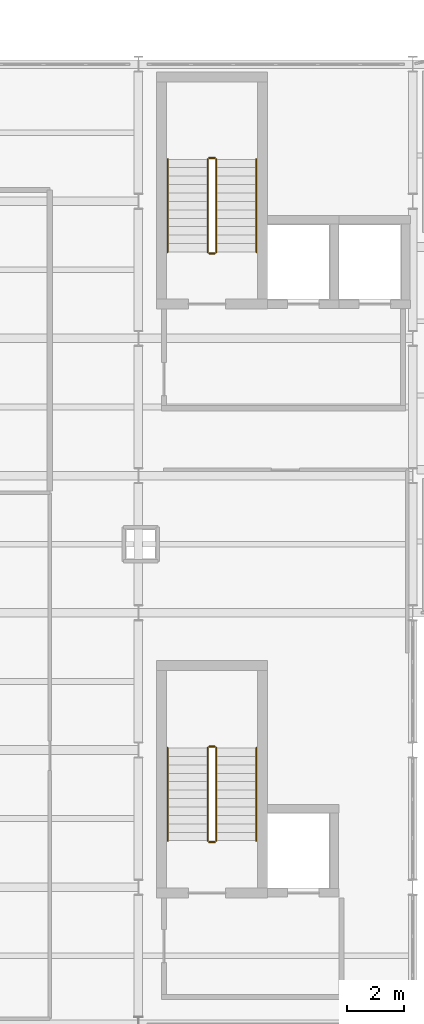
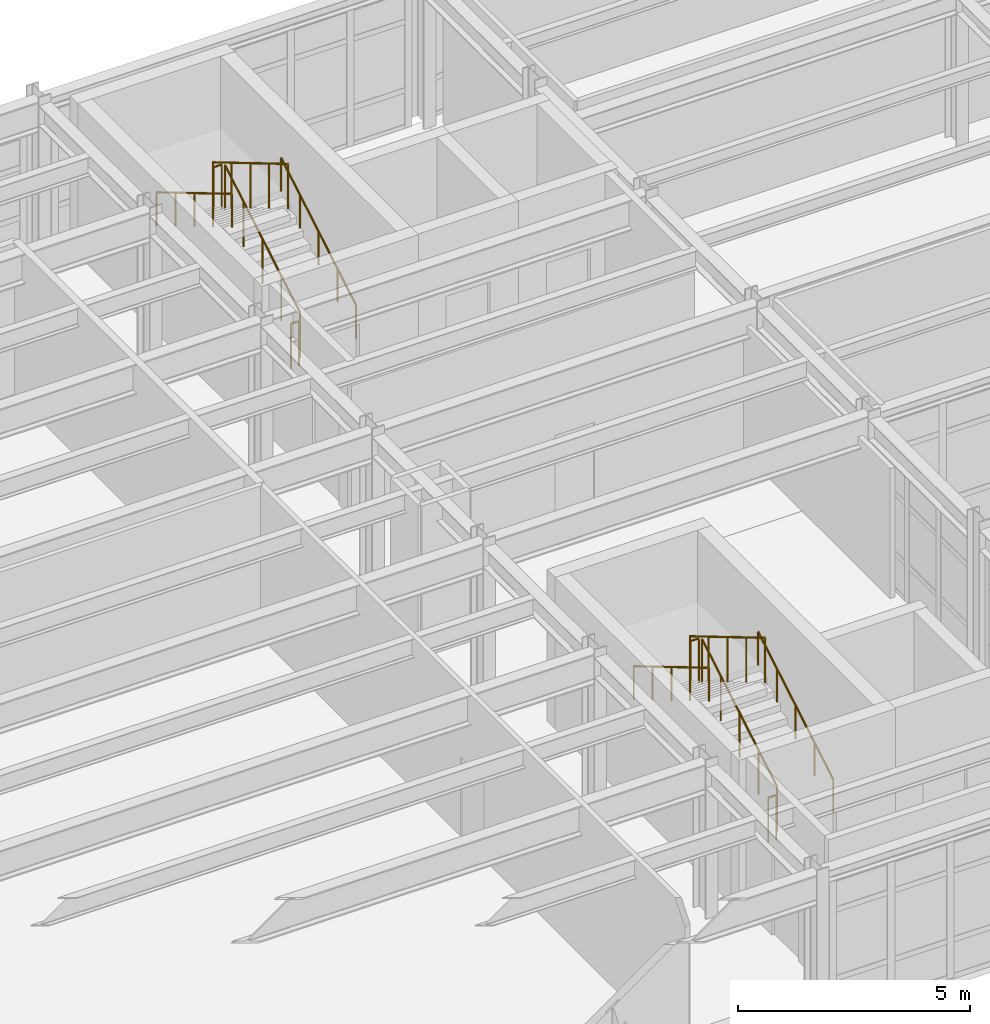
# One storey, part 62 of 64: 12 railings.
"""IFC4 building model written with IfcOpenShell, lengths in metres."""

from ifc_helpers import new_model, si_unit, direction, frame, origin, origin_2d, place, context, subcontext, project, spatial, circle, extrude, material, layer, layer_set, type_object, element, save


model = new_model("IFC4")

# Units and contexts
model_context = context("Model", 3, precision=1e-05, world=origin(), true_north=direction((0.0, 1.0)))
body_context = subcontext(model_context, "Body", "Model", "MODEL_VIEW")
ifc_project = project(units=[si_unit("LENGTHUNIT", "METRE"), si_unit("AREAUNIT", "SQUARE_METRE"), si_unit("VOLUMEUNIT", "CUBIC_METRE"), si_unit("PLANEANGLEUNIT", "RADIAN"), si_unit("MASSUNIT", "GRAM", prefix="KILO")], contexts=[model_context])

# Site, building, storey
site_placement = place(None, origin())
site = spatial("IfcSite", under=ifc_project, at=site_placement, CompositionType="ELEMENT")
building_placement = place(site_placement, origin())
building = spatial("IfcBuilding", under=site, at=building_placement, Name="Nordkorset Police Headquarters", CompositionType="ELEMENT")
storey_placement = place(building_placement, frame((0.0, 0.0, 17.85009765625)))
storey = spatial("IfcBuildingStorey", under=building, at=storey_placement, Name="L04", CompositionType="ELEMENT", Elevation=17.85009765625)

# Railings
ifc_material_1 = material(Name="Steel S355J2", Category="steel")
ifc_layer_1 = layer(ifc_material_1, 0.048095703125, Name="Steel S355J2")
ifc_layer_set_1 = layer_set([ifc_layer_1], Name="Steel S355J2")
railing_type_1 = type_object("IfcRailingType", Name="Railing_Handrail_900", PredefinedType="HANDRAIL", material=ifc_layer_set_1)
railing_1_placement = place(storey_placement, frame((23.324951171875, 110.22509765625, 0.1748046875)))
element("IfcRailing", 1, at=railing_1_placement, inside=storey, type_object=railing_type_1, Name="L04 ST-01 stair handrail 1", PredefinedType="HANDRAIL", context=body_context, shape_type="SweptSolid", body=[
    extrude(circle(Radius=0.02392578125, at=origin_2d()), frame((0.0, 0.0, 0.8759765625), z_axis=(0.0, 0.860040215814, 0.510226250974), x_axis=(-1.0, 0.0, 0.0)), (0.0, 0.0, 1.0), 3.77294921875),
    extrude(circle(Radius=0.02099609375, at=origin_2d()), origin(), (0.0, 0.0, 1.0), 0.851806640625),
    extrude(circle(Radius=0.02099609375, at=origin_2d()), frame((0.0, 0.811279296875, 0.481201171875)), (0.0, 0.0, 1.0), 0.851806640625),
    extrude(circle(Radius=0.02099609375, at=origin_2d()), frame((0.0, 1.62255859375, 0.96240234375)), (0.0, 0.0, 1.0), 0.851806640625),
    extrude(circle(Radius=0.02099609375, at=origin_2d()), frame((0.0, 2.43359375, 1.44384765625)), (0.0, 0.0, 1.0), 0.851806640625),
    extrude(circle(Radius=0.02099609375, at=origin_2d()), frame((0.0, 3.244873046875, 1.925048828125)), (0.0, 0.0, 1.0), 0.851806640625),
])
railing_2_placement = place(storey_placement, frame((20.22509765625, 113.469970703125, 2.27490234375)))
element("IfcRailing", 2, at=railing_2_placement, inside=storey, type_object=railing_type_1, Name="L04 ST-01 stair handrail 2", PredefinedType="HANDRAIL", context=body_context, shape_type="SweptSolid", body=[
    extrude(circle(Radius=0.02392578125, at=origin_2d()), frame((0.0, 0.0, 0.8759765625), z_axis=(0.0, -0.860040215814, 0.510226250974), x_axis=(1.0, 0.0, 0.0)), (0.0, 0.0, 1.0), 3.77294921875),
    extrude(circle(Radius=0.02099609375, at=origin_2d()), origin(), (0.0, 0.0, 1.0), 0.851806640625),
    extrude(circle(Radius=0.02099609375, at=origin_2d()), frame((0.0, -0.811279296875, 0.481201171875)), (0.0, 0.0, 1.0), 0.851806640625),
    extrude(circle(Radius=0.02099609375, at=origin_2d()), frame((0.0, -1.62255859375, 0.96240234375)), (0.0, 0.0, 1.0), 0.851806640625),
    extrude(circle(Radius=0.02099609375, at=origin_2d()), frame((0.0, -2.43359375, 1.44384765625)), (0.0, 0.0, 1.0), 0.851806640625),
    extrude(circle(Radius=0.02099609375, at=origin_2d()), frame((0.0, -3.244873046875, 1.925048828125)), (0.0, 0.0, 1.0), 0.851806640625),
])
railing_3_placement = place(storey_placement, frame((23.324951171875, 89.625, 0.1748046875)))
element("IfcRailing", 3, at=railing_3_placement, inside=storey, type_object=railing_type_1, Name="L04 ST-03 stair handrail 1", PredefinedType="HANDRAIL", context=body_context, shape_type="SweptSolid", body=[
    extrude(circle(Radius=0.02392578125, at=origin_2d()), frame((0.0, 0.0, 0.8759765625), z_axis=(0.0, 0.860057060016, 0.510197857224), x_axis=(-1.0, 0.0, 0.0)), (0.0, 0.0, 1.0), 3.773193359375),
    extrude(circle(Radius=0.02099609375, at=origin_2d()), origin(), (0.0, 0.0, 1.0), 0.851806640625),
    extrude(circle(Radius=0.02099609375, at=origin_2d()), frame((0.0, 0.811279296875, 0.481201171875)), (0.0, 0.0, 1.0), 0.851806640625),
    extrude(circle(Radius=0.02099609375, at=origin_2d()), frame((0.0, 1.62255859375, 0.96240234375)), (0.0, 0.0, 1.0), 0.851806640625),
    extrude(circle(Radius=0.02099609375, at=origin_2d()), frame((0.0, 2.433837890625, 1.44384765625)), (0.0, 0.0, 1.0), 0.851806640625),
    extrude(circle(Radius=0.02099609375, at=origin_2d()), frame((0.0, 3.2451171875, 1.925048828125)), (0.0, 0.0, 1.0), 0.851806640625),
])
railing_4_placement = place(storey_placement, frame((20.22509765625, 92.8701171875, 2.27490234375)))
element("IfcRailing", 4, at=railing_4_placement, inside=storey, type_object=railing_type_1, Name="L04 ST-03 stair handrail 2", PredefinedType="HANDRAIL", context=body_context, shape_type="SweptSolid", body=[
    extrude(circle(Radius=0.02392578125, at=origin_2d()), frame((0.0, 0.0, 0.8759765625), z_axis=(0.0, -0.860057060016, 0.510197857224), x_axis=(1.0, 0.0, 0.0)), (0.0, 0.0, 1.0), 3.773193359375),
    extrude(circle(Radius=0.02099609375, at=origin_2d()), origin(), (0.0, 0.0, 1.0), 0.851806640625),
    extrude(circle(Radius=0.02099609375, at=origin_2d()), frame((0.0, -0.811279296875, 0.481201171875)), (0.0, 0.0, 1.0), 0.851806640625),
    extrude(circle(Radius=0.02099609375, at=origin_2d()), frame((0.0, -1.62255859375, 0.96240234375)), (0.0, 0.0, 1.0), 0.851806640625),
    extrude(circle(Radius=0.02099609375, at=origin_2d()), frame((0.0, -2.433837890625, 1.44384765625)), (0.0, 0.0, 1.0), 0.851806640625),
    extrude(circle(Radius=0.02099609375, at=origin_2d()), frame((0.0, -3.2451171875, 1.925048828125)), (0.0, 0.0, 1.0), 0.851806640625),
])
ifc_material_2 = material(Name="Steel S355J2", Category="steel")
ifc_layer_2 = layer(ifc_material_2, 0.050048828125, Name="Steel S355J2")
ifc_layer_set_2 = layer_set([ifc_layer_2], Name="Steel S355J2")
railing_type_2 = type_object("IfcRailingType", Name="Railing_StairGuard_1200", PredefinedType="GUARDRAIL", material=ifc_layer_set_2)
railing_5_placement = place(storey_placement, frame((21.925048828125, 110.22509765625, 0.1748046875)))
element("IfcRailing", 5, at=railing_5_placement, inside=storey, type_object=railing_type_2, Name="L04 ST-01 stair guard 1", PredefinedType="GUARDRAIL", context=body_context, shape_type="SweptSolid", body=[
    extrude(circle(Radius=0.02392578125, at=origin_2d()), frame((0.0, 0.0, 1.17578125), z_axis=(0.0, 0.860040215814, 0.510226250974), x_axis=(-1.0, 0.0, 0.0)), (0.0, 0.0, 1.0), 3.77294921875),
    extrude(circle(Radius=0.02099609375, at=origin_2d()), origin(), (0.0, 0.0, 1.0), 1.15185546875),
    extrude(circle(Radius=0.02099609375, at=origin_2d()), frame((0.0, 0.811279296875, 0.481201171875)), (0.0, 0.0, 1.0), 1.15185546875),
    extrude(circle(Radius=0.02099609375, at=origin_2d()), frame((0.0, 1.62255859375, 0.96240234375)), (0.0, 0.0, 1.0), 1.15185546875),
    extrude(circle(Radius=0.02099609375, at=origin_2d()), frame((0.0, 2.43359375, 1.44384765625)), (0.0, 0.0, 1.0), 1.15185546875),
    extrude(circle(Radius=0.02099609375, at=origin_2d()), frame((0.0, 3.244873046875, 1.925048828125)), (0.0, 0.0, 1.0), 1.15185546875),
])
railing_6_placement = place(storey_placement, frame((21.875, 113.52001953125, 2.099853515625)))
element("IfcRailing", 6, at=railing_6_placement, inside=storey, type_object=railing_type_2, Name="L04 ST-01 stair guard 2", PredefinedType="GUARDRAIL", context=body_context, shape_type="SweptSolid", body=[
    extrude(circle(Radius=0.02392578125, at=origin_2d()), frame((0.0, 0.0, 1.17578125), z_axis=(-1.0, 0.0, 0.0), x_axis=(0.0, -1.0, 0.0)), (0.0, 0.0, 1.0), 0.199951171875),
    extrude(circle(Radius=0.02099609375, at=origin_2d()), origin(), (0.0, 0.0, 1.0), 1.15185546875),
    extrude(circle(Radius=0.02099609375, at=origin_2d()), frame((-0.199951171875, 0.0, 0.0)), (0.0, 0.0, 1.0), 1.15185546875),
])
railing_7_placement = place(storey_placement, frame((21.625, 113.469970703125, 2.27490234375)))
element("IfcRailing", 7, at=railing_7_placement, inside=storey, type_object=railing_type_2, Name="L04 ST-01 stair guard 3", PredefinedType="GUARDRAIL", context=body_context, shape_type="SweptSolid", body=[
    extrude(circle(Radius=0.02392578125, at=origin_2d()), frame((0.0, 0.0, 1.17578125), z_axis=(0.0, -0.860040215814, 0.510226250974), x_axis=(1.0, 0.0, 0.0)), (0.0, 0.0, 1.0), 3.77294921875),
    extrude(circle(Radius=0.02099609375, at=origin_2d()), origin(), (0.0, 0.0, 1.0), 1.15185546875),
    extrude(circle(Radius=0.02099609375, at=origin_2d()), frame((0.0, -0.811279296875, 0.481201171875)), (0.0, 0.0, 1.0), 1.15185546875),
    extrude(circle(Radius=0.02099609375, at=origin_2d()), frame((0.0, -1.62255859375, 0.96240234375)), (0.0, 0.0, 1.0), 1.15185546875),
    extrude(circle(Radius=0.02099609375, at=origin_2d()), frame((0.0, -2.43359375, 1.44384765625)), (0.0, 0.0, 1.0), 1.15185546875),
    extrude(circle(Radius=0.02099609375, at=origin_2d()), frame((0.0, -3.244873046875, 1.925048828125)), (0.0, 0.0, 1.0), 1.15185546875),
])
railing_8_placement = place(storey_placement, frame((21.875, 110.175048828125, 0.0)))
element("IfcRailing", 8, at=railing_8_placement, inside=storey, type_object=railing_type_2, Name="L04 ST-01 stair guard 4", PredefinedType="GUARDRAIL", context=body_context, shape_type="SweptSolid", body=[
    extrude(circle(Radius=0.02392578125, at=origin_2d()), frame((0.0, 0.0, 1.17578125), z_axis=(-1.0, 0.0, 0.0), x_axis=(0.0, -1.0, 0.0)), (0.0, 0.0, 1.0), 0.199951171875),
    extrude(circle(Radius=0.02099609375, at=origin_2d()), origin(), (0.0, 0.0, 1.0), 1.15185546875),
    extrude(circle(Radius=0.02099609375, at=origin_2d()), frame((-0.199951171875, 0.0, 0.0)), (0.0, 0.0, 1.0), 1.15185546875),
])
railing_9_placement = place(storey_placement, frame((21.925048828125, 89.625, 0.1748046875)))
element("IfcRailing", 9, at=railing_9_placement, inside=storey, type_object=railing_type_2, Name="L04 ST-03 stair guard 1", PredefinedType="GUARDRAIL", context=body_context, shape_type="SweptSolid", body=[
    extrude(circle(Radius=0.02392578125, at=origin_2d()), frame((0.0, 0.0, 1.17578125), z_axis=(0.0, 0.860057060016, 0.510197857224), x_axis=(-1.0, 0.0, 0.0)), (0.0, 0.0, 1.0), 3.773193359375),
    extrude(circle(Radius=0.02099609375, at=origin_2d()), origin(), (0.0, 0.0, 1.0), 1.15185546875),
    extrude(circle(Radius=0.02099609375, at=origin_2d()), frame((0.0, 0.811279296875, 0.481201171875)), (0.0, 0.0, 1.0), 1.15185546875),
    extrude(circle(Radius=0.02099609375, at=origin_2d()), frame((0.0, 1.62255859375, 0.96240234375)), (0.0, 0.0, 1.0), 1.15185546875),
    extrude(circle(Radius=0.02099609375, at=origin_2d()), frame((0.0, 2.433837890625, 1.44384765625)), (0.0, 0.0, 1.0), 1.15185546875),
    extrude(circle(Radius=0.02099609375, at=origin_2d()), frame((0.0, 3.2451171875, 1.925048828125)), (0.0, 0.0, 1.0), 1.15185546875),
])
railing_10_placement = place(storey_placement, frame((21.875, 92.919921875, 2.099853515625)))
element("IfcRailing", 10, at=railing_10_placement, inside=storey, type_object=railing_type_2, Name="L04 ST-03 stair guard 2", PredefinedType="GUARDRAIL", context=body_context, shape_type="SweptSolid", body=[
    extrude(circle(Radius=0.02392578125, at=origin_2d()), frame((0.0, 0.0, 1.17578125), z_axis=(-1.0, 0.0, 0.0), x_axis=(0.0, -1.0, 0.0)), (0.0, 0.0, 1.0), 0.199951171875),
    extrude(circle(Radius=0.02099609375, at=origin_2d()), origin(), (0.0, 0.0, 1.0), 1.15185546875),
    extrude(circle(Radius=0.02099609375, at=origin_2d()), frame((-0.199951171875, 0.0, 0.0)), (0.0, 0.0, 1.0), 1.15185546875),
])
railing_11_placement = place(storey_placement, frame((21.625, 92.8701171875, 2.27490234375)))
element("IfcRailing", 11, at=railing_11_placement, inside=storey, type_object=railing_type_2, Name="L04 ST-03 stair guard 3", PredefinedType="GUARDRAIL", context=body_context, shape_type="SweptSolid", body=[
    extrude(circle(Radius=0.02392578125, at=origin_2d()), frame((0.0, 0.0, 1.17578125), z_axis=(0.0, -0.860057060016, 0.510197857224), x_axis=(1.0, 0.0, 0.0)), (0.0, 0.0, 1.0), 3.773193359375),
    extrude(circle(Radius=0.02099609375, at=origin_2d()), origin(), (0.0, 0.0, 1.0), 1.15185546875),
    extrude(circle(Radius=0.02099609375, at=origin_2d()), frame((0.0, -0.811279296875, 0.481201171875)), (0.0, 0.0, 1.0), 1.15185546875),
    extrude(circle(Radius=0.02099609375, at=origin_2d()), frame((0.0, -1.62255859375, 0.96240234375)), (0.0, 0.0, 1.0), 1.15185546875),
    extrude(circle(Radius=0.02099609375, at=origin_2d()), frame((0.0, -2.433837890625, 1.44384765625)), (0.0, 0.0, 1.0), 1.15185546875),
    extrude(circle(Radius=0.02099609375, at=origin_2d()), frame((0.0, -3.2451171875, 1.925048828125)), (0.0, 0.0, 1.0), 1.15185546875),
])
railing_12_placement = place(storey_placement, frame((21.875, 89.574951171875, 0.0)))
element("IfcRailing", 12, at=railing_12_placement, inside=storey, type_object=railing_type_2, Name="L04 ST-03 stair guard 4", PredefinedType="GUARDRAIL", context=body_context, shape_type="SweptSolid", body=[
    extrude(circle(Radius=0.02392578125, at=origin_2d()), frame((0.0, 0.0, 1.17578125), z_axis=(-1.0, 0.0, 0.0), x_axis=(0.0, -1.0, 0.0)), (0.0, 0.0, 1.0), 0.199951171875),
    extrude(circle(Radius=0.02099609375, at=origin_2d()), origin(), (0.0, 0.0, 1.0), 1.15185546875),
    extrude(circle(Radius=0.02099609375, at=origin_2d()), frame((-0.199951171875, 0.0, 0.0)), (0.0, 0.0, 1.0), 1.15185546875),
])

save(model, "model.ifc")
